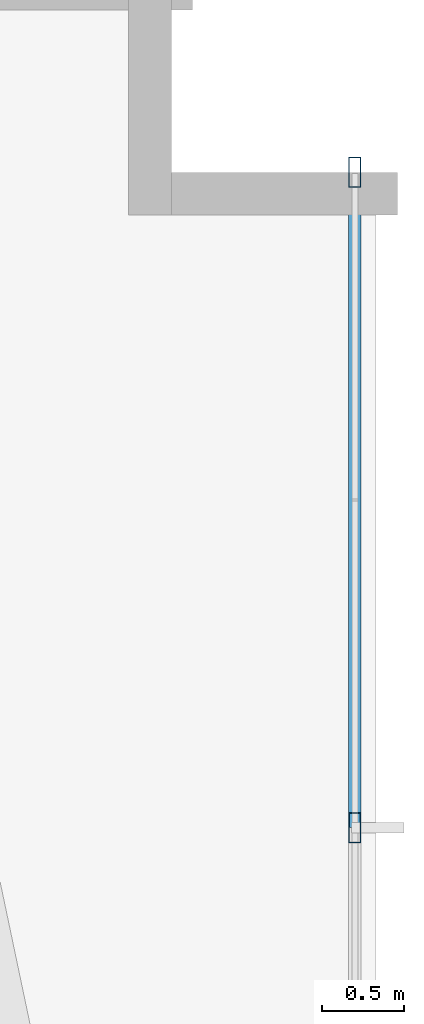
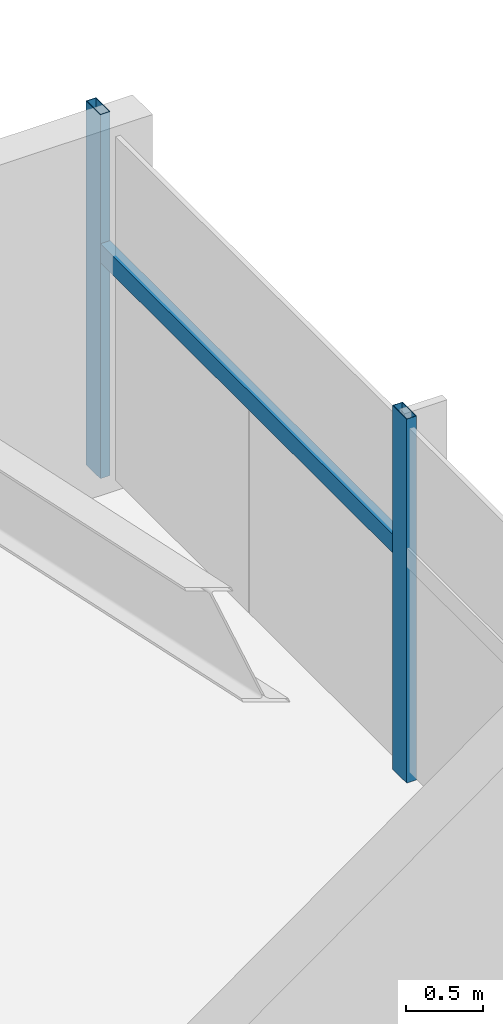
# One storey, part 17 of 25: 3 members, 1 element without a shape of its own.
"""IFC4 building model written with IfcOpenShell, lengths in metres."""

from ifc_helpers import new_model, si_unit, direction, frame, origin, origin_2d, place, context, subcontext, project, spatial, hollow_rectangle, extrude, source, transform, mapped, material, material_profile, profile_set, type_object, type_shapes, element, aggregate, save


model = new_model("IFC4")

# Units and contexts
model_context = context("Model", 3, precision=1e-05, world=origin(), true_north=direction((0.0, 1.0)))
body_context = subcontext(model_context, "Body", "Model", "MODEL_VIEW")
ifc_project = project(units=[si_unit("LENGTHUNIT", "METRE"), si_unit("AREAUNIT", "SQUARE_METRE"), si_unit("VOLUMEUNIT", "CUBIC_METRE"), si_unit("PLANEANGLEUNIT", "RADIAN"), si_unit("MASSUNIT", "GRAM", prefix="KILO")], contexts=[model_context])

# Site, building, storey
site_placement = place(None, origin())
site = spatial("IfcSite", under=ifc_project, at=site_placement, CompositionType="ELEMENT")
building_placement = place(site_placement, origin())
building = spatial("IfcBuilding", under=site, at=building_placement, Name="Astriad Promenade Condominiums", CompositionType="ELEMENT")
storey_placement = place(building_placement, frame((0.0, 0.0, 64.60009765625)))
storey = spatial("IfcBuildingStorey", under=building, at=storey_placement, Name="L18", CompositionType="ELEMENT", Elevation=64.60009765625)

# Curtain wall, members
ifc_material_1 = material(Name="Anodised aluminium Black Dark Glass Unitised", Category="aluminium")
curtain_wall_type = type_object("IfcCurtainWallType", Name="CW-B1-DARK", PredefinedType="USERDEFINED", material=ifc_material_1)
curtain_wall_placement = place(storey_placement, origin())
curtain_wall = element("IfcCurtainWall", 1, at=curtain_wall_placement, inside=storey, type_object=curtain_wall_type, Name="CW-L18-E", ObjectType="UNITISED_CURTAIN_WALL", PredefinedType="USERDEFINED")
ifc_material_2 = material(Name="Anodised aluminium 6063-T6 Black", Category="aluminium")
ifc_material_profile_1 = material_profile(ifc_material_2, hollow_rectangle(XDim=0.074951171875, YDim=0.14990234375, WallThickness=0.004150390625, at=origin_2d()), Name="ALU-TRN-75X150")
ifc_profile_set_1 = profile_set([ifc_material_profile_1], Name="Anodised aluminium 6063-T6 Black")
member_type_1 = type_object("IfcMemberType", Name="TRN-ALU-TRN-75X150", PredefinedType="USERDEFINED", material=ifc_profile_set_1)
shared_shape_1 = source(origin(), body_context, "Body", "SweptSolid", [
    extrude(hollow_rectangle(XDim=0.074951171875, YDim=0.14990234375, WallThickness=0.004150390625, at=origin_2d()), origin(), (0.0, 0.0, 1.0), 4.0),
])
type_shapes(member_type_1, [shared_shape_1])
member_1_placement = place(storey_placement, frame((59.669921875, 25.199951171875, 1.7978515625), z_axis=(0.0, -1.0, 0.0), x_axis=(1.0, 0.0, 0.0)))
member_1 = element("IfcMember", 2, at=member_1_placement, type_object=member_type_1, Name="CW-L18-E-TRN-00-0", ObjectType="TRANSOM", PredefinedType="USERDEFINED", context=body_context, shape_type="MappedRepresentation", body=[
    mapped(shared_shape_1, transform((0.0, 0.0, 0.0), scale=1.0)),
])
ifc_material_profile_2 = material_profile(ifc_material_2, hollow_rectangle(XDim=0.074951171875, YDim=0.18505859375, WallThickness=0.00439453125, at=origin_2d()), Name="ALU-MUL-75X185")
ifc_profile_set_2 = profile_set([ifc_material_profile_2], Name="Anodised aluminium 6063-T6 Black")
member_type_2 = type_object("IfcMemberType", Name="MUL-ALU-MUL-75X185", PredefinedType="MULLION", material=ifc_profile_set_2)
shared_shape_2 = source(origin(), body_context, "Body", "SweptSolid", [
    extrude(hollow_rectangle(XDim=0.074951171875, YDim=0.18505859375, WallThickness=0.00439453125, at=origin_2d()), origin(), (0.0, 0.0, 1.0), 2.89990234375),
])
type_shapes(member_type_2, [shared_shape_2])
member_2_placement = place(storey_placement, frame((59.669921875, 25.199951171875, 0.0), z_axis=(0.0, 0.0, 1.0), x_axis=(1.0, 0.0, 0.0)))
member_2 = element("IfcMember", 3, at=member_2_placement, type_object=member_type_2, Name="CW-L18-E-MUL-00", PredefinedType="MULLION", context=body_context, shape_type="MappedRepresentation", body=[
    mapped(shared_shape_2, transform((0.0, 0.0, 0.0), scale=1.0)),
])
member_3_placement = place(storey_placement, frame((59.669921875, 21.199951171875, 0.0), z_axis=(0.0, 0.0, 1.0), x_axis=(1.0, 0.0, 0.0)))
member_3 = element("IfcMember", 4, at=member_3_placement, type_object=member_type_2, Name="CW-L18-E-MUL-01", PredefinedType="MULLION", context=body_context, shape_type="MappedRepresentation", body=[
    mapped(shared_shape_2, transform((0.0, 0.0, 0.0), scale=1.0)),
])
aggregate(curtain_wall, [member_2, member_3, member_1])

save(model, "model.ifc")
